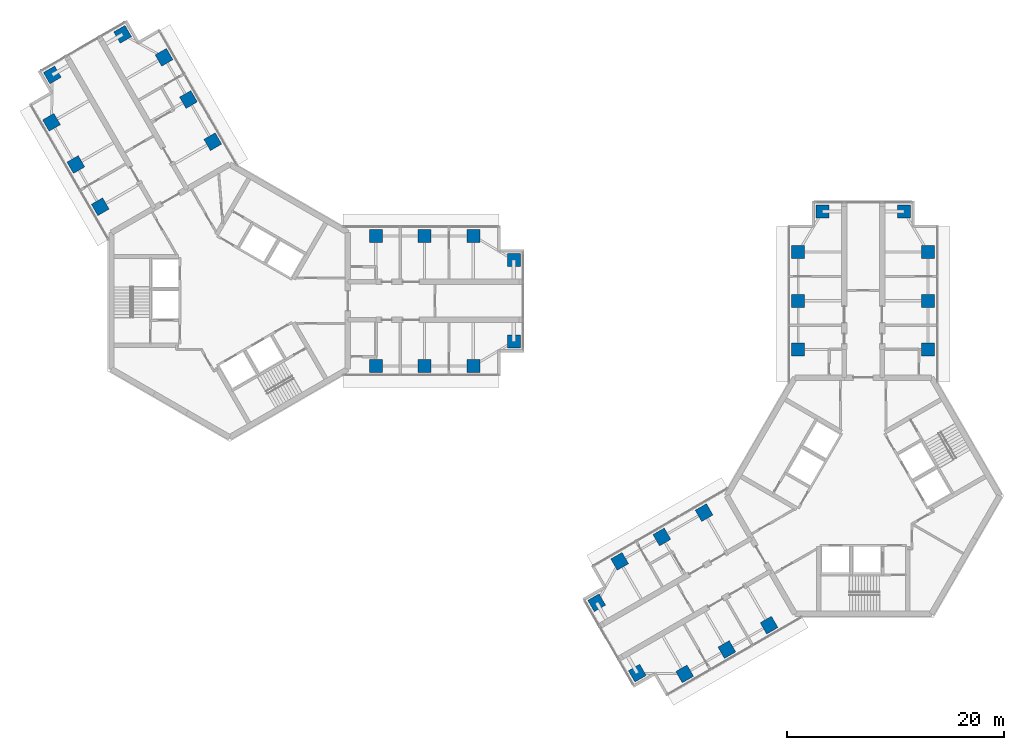
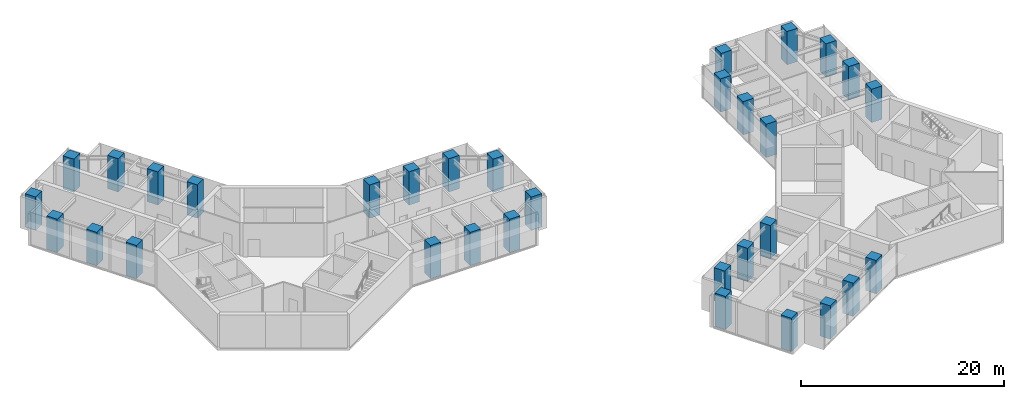
# One storey, part 1 of 17: 32 columns.
"""IFC4 building model written with IfcOpenShell, lengths in metres."""

from ifc_helpers import new_model, si_unit, direction, frame, origin, origin_2d, place, context, subcontext, project, spatial, rectangle, extrude, material, material_profile, profile_set, type_object, element, save


model = new_model("IFC4")

# Units and contexts
model_context = context("Model", 3, precision=1e-05, world=origin(), true_north=direction((0.0, 1.0)))
body_context = subcontext(model_context, "Body", "Model", "MODEL_VIEW")
ifc_project = project(units=[si_unit("LENGTHUNIT", "METRE"), si_unit("AREAUNIT", "SQUARE_METRE"), si_unit("VOLUMEUNIT", "CUBIC_METRE"), si_unit("PLANEANGLEUNIT", "RADIAN"), si_unit("MASSUNIT", "GRAM", prefix="KILO")], contexts=[model_context])

# Site, building, storey
site_placement = place(None, origin())
site = spatial("IfcSite", under=ifc_project, at=site_placement, CompositionType="ELEMENT")
building_placement = place(site_placement, origin())
building = spatial("IfcBuilding", under=site, at=building_placement, Name="Upepo Twin Towers", CompositionType="ELEMENT")
storey_placement = place(building_placement, frame((0.0, 0.0, 190.5)))
storey = spatial("IfcBuildingStorey", under=building, at=storey_placement, Name="L46", CompositionType="ELEMENT", Elevation=190.5)

# Columns
ifc_material = material(Name="Concrete C60/75", Category="concrete")
ifc_material_profile = material_profile(ifc_material, rectangle(XDim=1.199951171875, YDim=1.199951171875, at=origin_2d()), Name="RC 1200x1200")
ifc_profile_set = profile_set([ifc_material_profile], Name="Concrete C60/75")
column_type = type_object("IfcColumnType", Name="Tower column RC 1200x1200", PredefinedType="COLUMN", material=ifc_profile_set)
for number, where, z_axis, x_axis, name in (
    (1, (13.5, 6.0, 0.0), (0.0, 0.0, 1.0), (1.0, 0.0, 0.0), "T1 column AL135"),
    (2, (13.5, -6.0, 0.0), (0.0, 0.0, 1.0), (1.0, 0.0, 0.0), "T1 column AR135"),
    (3, (18.0, 6.0, 0.0), (0.0, 0.0, 1.0), (1.0, 0.0, 0.0), "T1 column AL180"),
    (4, (18.0, -6.0, 0.0), (0.0, 0.0, 1.0), (1.0, 0.0, 0.0), "T1 column AR180"),
    (5, (22.5, 6.0, 0.0), (0.0, 0.0, 1.0), (1.0, 0.0, 0.0), "T1 column AL225"),
    (6, (22.5, -6.0, 0.0), (0.0, 0.0, 1.0), (1.0, 0.0, 0.0), "T1 column AR225"),
    (7, (26.25, 3.75, 0.0), (0.0, 0.0, 1.0), (1.0, 0.0, 0.0), "T1 column ALN"),
    (8, (26.25, -3.75, 0.0), (0.0, 0.0, 1.0), (1.0, 0.0, 0.0), "T1 column ARN"),
    (9, (-11.946044921875, 8.69140625, 0.0), (0.0, 0.0, 1.0), (0.866025403784, 0.5, 0.0), "T1 column BL135"),
    (10, (-1.553955078125, 14.69140625, 0.0), (0.0, 0.0, 1.0), (0.866025403784, 0.5, 0.0), "T1 column BR135"),
    (11, (-14.196044921875, 12.58837890625, 0.0), (0.0, 0.0, 1.0), (0.866025403784, 0.5, 0.0), "T1 column BL180"),
    (12, (-3.803955078125, 18.58837890625, 0.0), (0.0, 0.0, 1.0), (0.866025403784, 0.5, 0.0), "T1 column BR180"),
    (13, (-16.446044921875, 16.485595703125, 0.0), (0.0, 0.0, 1.0), (0.866025403784, 0.5, 0.0), "T1 column BL225"),
    (14, (-6.053955078125, 22.485595703125, 0.0), (0.0, 0.0, 1.0), (0.866025403784, 0.5, 0.0), "T1 column BR225"),
    (15, (-16.37255859375, 20.858154296875, 0.0), (0.0, 0.0, 1.0), (0.866025403784, 0.5, 0.0), "T1 column BLN"),
    (16, (-9.87744140625, 24.608154296875, 0.0), (0.0, 0.0, 1.0), (0.866025403784, 0.5, 0.0), "T1 column BRN"),
    (17, (52.5, -4.5, 0.0), (0.0, 0.0, 1.0), (1.0, 0.0, 0.0), "T2 column AL135"),
    (18, (64.5, -4.5, 0.0), (0.0, 0.0, 1.0), (1.0, 0.0, 0.0), "T2 column AR135"),
    (19, (52.5, 0.0, 0.0), (0.0, 0.0, 1.0), (1.0, 0.0, 0.0), "T2 column AL180"),
    (20, (64.5, 0.0, 0.0), (0.0, 0.0, 1.0), (1.0, 0.0, 0.0), "T2 column AR180"),
    (21, (52.5, 4.5, 0.0), (0.0, 0.0, 1.0), (1.0, 0.0, 0.0), "T2 column AL225"),
    (22, (64.5, 4.5, 0.0), (0.0, 0.0, 1.0), (1.0, 0.0, 0.0), "T2 column AR225"),
    (23, (54.75, 8.25, 0.0), (0.0, 0.0, 1.0), (1.0, 0.0, 0.0), "T2 column ALN"),
    (24, (62.25, 8.25, 0.0), (0.0, 0.0, 1.0), (1.0, 0.0, 0.0), "T2 column ARN"),
    (25, (49.80859375, -29.946044921875, 0.0), (0.0, 0.0, 1.0), (0.866025403784, 0.5, 0.0), "T2 column BL135"),
    (26, (43.80859375, -19.553955078125, 0.0), (0.0, 0.0, 1.0), (0.866025403784, 0.5, 0.0), "T2 column BR135"),
    (27, (45.91162109375, -32.196044921875, 0.0), (0.0, 0.0, 1.0), (0.866025403784, 0.5, 0.0), "T2 column BL180"),
    (28, (39.91162109375, -21.803955078125, 0.0), (0.0, 0.0, 1.0), (0.866025403784, 0.5, 0.0), "T2 column BR180"),
    (29, (42.014404296875, -34.446044921875, 0.0), (0.0, 0.0, 1.0), (0.866025403784, 0.5, 0.0), "T2 column BL225"),
    (30, (36.014404296875, -24.053955078125, 0.0), (0.0, 0.0, 1.0), (0.866025403784, 0.5, 0.0), "T2 column BR225"),
    (31, (37.641845703125, -34.37255859375, 0.0), (0.0, 0.0, 1.0), (0.866025403784, 0.5, 0.0), "T2 column BLN"),
    (32, (33.891845703125, -27.87744140625, 0.0), (0.0, 0.0, 1.0), (0.866025403784, 0.5, 0.0), "T2 column BRN"),
):
    element("IfcColumn", number, at=place(storey_placement, frame(where, z_axis=z_axis, x_axis=x_axis)), inside=storey, type_object=column_type, Name=name, PredefinedType="COLUMN", context=body_context, shape_type="SweptSolid", body=[
        extrude(rectangle(XDim=1.199951171875, YDim=1.199951171875, at=origin_2d()), origin(), (0.0, 0.0, 1.0), 4.0),
    ])

save(model, "model.ifc")
